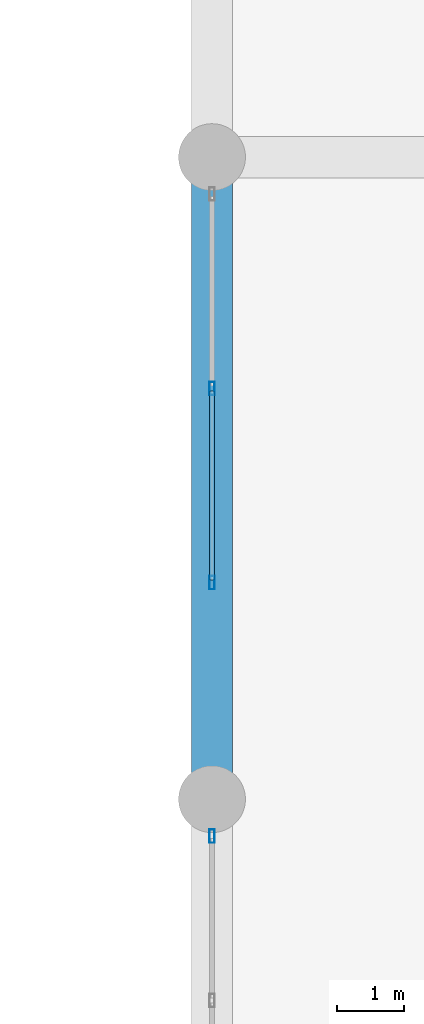
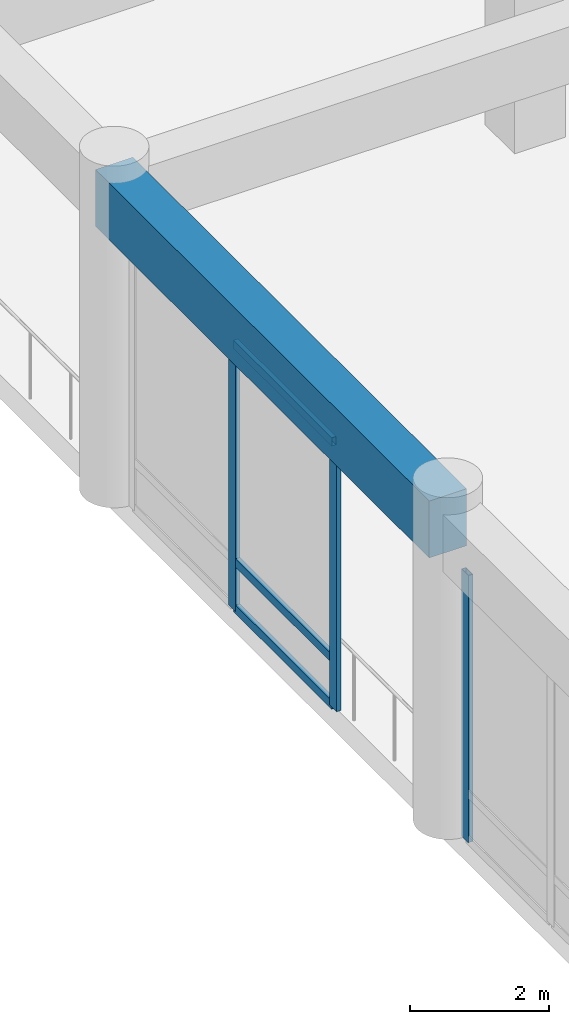
# One storey, part 32 of 87: 6 members, 1 beam, 2 elements without a shape of their own.
"""IFC4 building model written with IfcOpenShell, lengths in metres."""

import ifcopenshell
import ifcopenshell.guid

model = None  # the IFC model being written
_history = None  # IfcOwnerHistory: only IFC2X3 demands one
_inside = {}  # id of a spatial element -> (the spatial element, [elements in it])
_under = {}  # id of a project, library or spatial element -> (it, [spatial elements below it])
_declared = {}  # id of a project -> (the project, [libraries it declares])
_typed = {}  # id of a type object -> (the type object, [elements of that type])
_made_of = {}  # id of a material, layer set ... -> (it, [elements and type objects made of it])


def new_model(schema):
    """Start an empty IFC model of exactly this schema.

    Asked for "IFC4X3", IfcOpenShell would pick the latest addendum, in which some entities
    have other attributes; the version numbers below select the first issue.
    IFC2X3 requires an IfcOwnerHistory on every rooted entity: one is made here for all.
    """
    global model, _history
    if schema == "IFC4X3":
        model = ifcopenshell.file(schema_version=(4, 3, 0, 0))
    else:
        model = ifcopenshell.file(schema=schema)
    _inside.clear()
    _under.clear()
    _declared.clear()
    _typed.clear()
    _made_of.clear()
    _history = None
    if model.schema == "IFC2X3":
        org = make("IfcOrganization", Name="unknown")
        user = make(
            "IfcPersonAndOrganization",
            ThePerson=make("IfcPerson", FamilyName="unknown"),
            TheOrganization=org,
        )
        app = make(
            "IfcApplication",
            ApplicationDeveloper=org,
            Version="unknown",
            ApplicationFullName="unknown",
            ApplicationIdentifier="unknown",
        )
        _history = make(
            "IfcOwnerHistory",
            OwningUser=user,
            OwningApplication=app,
            ChangeAction="ADDED",
            CreationDate=0,
        )
    return model


def make(cls, **values):
    """One entity of the class cls with the attributes given. An attribute that is None is left unset."""
    return model.create_entity(
        cls, **{name: value for name, value in values.items() if value is not None}
    )


def rooted(cls, **values):
    """An entity with a GlobalId (a new one), such as an element, a storey or a relation."""
    return make(cls, GlobalId=ifcopenshell.guid.new(), OwnerHistory=_history, **values)


def si_unit(unit_type, name, prefix=None):
    """IfcSIUnit, for example si_unit("LENGTHUNIT", "METRE", prefix="MILLI")."""
    return make("IfcSIUnit", UnitType=unit_type, Prefix=prefix, Name=name)


def assignment(units):
    """IfcUnitAssignment: the units of a project."""
    return None if units is None else make("IfcUnitAssignment", Units=units)


def point(xyz):
    """IfcCartesianPoint."""
    return None if xyz is None else make("IfcCartesianPoint", Coordinates=xyz)


def direction(xyz):
    """IfcDirection."""
    return None if xyz is None else make("IfcDirection", DirectionRatios=xyz)


def frame(location, z_axis=None, x_axis=None):
    """IfcAxis2Placement3D, a coordinate frame: its origin and axes. An axis left out is left unset."""
    return make(
        "IfcAxis2Placement3D",
        Location=point(location),
        Axis=direction(z_axis),
        RefDirection=direction(x_axis),
    )


def frame_2d(location, x_axis=None):
    """IfcAxis2Placement2D, a coordinate frame in the plane: its origin and x axis."""
    return make(
        "IfcAxis2Placement2D", Location=point(location), RefDirection=direction(x_axis)
    )


def origin():
    """The frame at (0, 0, 0) with its axes left unset."""
    return frame((0.0, 0.0, 0.0))


def origin_2d():
    """The frame at (0, 0) in the plane with its x axis left unset."""
    return frame_2d((0.0, 0.0))


def place(relative_to, where):
    """IfcLocalPlacement: puts the frame where relative to a parent placement (None: the world)."""
    return make(
        "IfcLocalPlacement", PlacementRelTo=relative_to, RelativePlacement=where
    )


def context(
    kind, dimensions, precision=None, world=None, true_north=None, identifier=None
):
    """IfcGeometricRepresentationContext, for example the 3D "Model" context."""
    return make(
        "IfcGeometricRepresentationContext",
        ContextIdentifier=identifier,
        ContextType=kind,
        CoordinateSpaceDimension=dimensions,
        Precision=precision,
        WorldCoordinateSystem=world,
        TrueNorth=true_north,
    )


def subcontext(parent, identifier, kind, view, scale=None):
    """IfcGeometricRepresentationSubContext, for example "Body" below "Model"."""
    return make(
        "IfcGeometricRepresentationSubContext",
        ContextIdentifier=identifier,
        ContextType=kind,
        ParentContext=parent,
        TargetScale=scale,
        TargetView=view,
    )


def project(units=None, contexts=None):
    """IfcProject with its units and contexts."""
    return rooted(
        "IfcProject",
        Name="project",
        RepresentationContexts=contexts,
        UnitsInContext=assignment(units),
    )


def spatial(cls, under=None, at=None, **own):
    """A site, building, storey or space (cls), placed at a placement, below another one or the project."""
    s = rooted(cls, ObjectPlacement=at, **own)
    if under is not None:
        _under.setdefault(under.id(), (under, []))[1].append(s)
    return s


def profile(cls, at=None, kind="AREA", **sizes):
    """A parametric profile (cls). Its sizes go by their IFC names, for example OverallWidth=200.0."""
    return make(cls, ProfileType=kind, Position=at, **sizes)


def rectangle(**sizes):
    """IfcRectangleProfileDef."""
    return profile("IfcRectangleProfileDef", **sizes)


def hollow_rectangle(**sizes):
    """IfcRectangleHollowProfileDef."""
    return profile("IfcRectangleHollowProfileDef", **sizes)


def extrude(swept, where, along, depth):
    """IfcExtrudedAreaSolid: the profile swept, set in the frame where, extruded along a direction by depth."""
    return make(
        "IfcExtrudedAreaSolid",
        SweptArea=swept,
        Position=where,
        ExtrudedDirection=direction(along),
        Depth=depth,
    )


def shape(context_of_items, identifier, shape_type, items):
    """IfcShapeRepresentation: the items that make up one representation, for example the "Body"."""
    return make(
        "IfcShapeRepresentation",
        ContextOfItems=context_of_items,
        RepresentationIdentifier=identifier,
        RepresentationType=shape_type,
        Items=items,
    )


def material(Name=None, Category=None):
    """IfcMaterial."""
    return make("IfcMaterial", Name=Name, Category=Category)


def layer(
    of_material, thickness, ventilated=None, Name=None, Category=None, Priority=None
):
    """IfcMaterialLayer: one layer of a wall or slab, of a material (None: an air gap)."""
    return make(
        "IfcMaterialLayer",
        Material=of_material,
        LayerThickness=thickness,
        IsVentilated=ventilated,
        Name=Name,
        Category=Category,
        Priority=Priority,
    )


def layer_set(layers, Name=None):
    """IfcMaterialLayerSet."""
    return make("IfcMaterialLayerSet", MaterialLayers=layers, LayerSetName=Name)


def material_profile(
    of_material, cross_section, Name=None, Category=None, Priority=None
):
    """IfcMaterialProfile: a cross section and its material."""
    return make(
        "IfcMaterialProfile",
        Name=Name,
        Material=of_material,
        Profile=cross_section,
        Priority=Priority,
        Category=Category,
    )


def profile_set(profiles, Name=None, composite=None):
    """IfcMaterialProfileSet."""
    return make(
        "IfcMaterialProfileSet",
        Name=Name,
        MaterialProfiles=profiles,
        CompositeProfile=composite,
    )


def made_of(thing, what):
    """Note that an element or type object is made of a material, layer set ...; save() writes the relation."""
    if what is not None:
        _made_of.setdefault(what.id(), (what, []))[1].append(thing)
    return thing


def type_object(cls, material=None, **own):
    """A type object (cls), such as IfcWallType, which elements share."""
    return made_of(rooted(cls, **own), material)


def element(
    cls,
    number,
    at=None,
    inside=None,
    cuts=None,
    type_object=None,
    material=None,
    context=None,
    identifier="Body",
    shape_type=None,
    held_by="IfcProductDefinitionShape",
    body=None,
    shapes=None,
    **own,
):
    """One element of the class cls, such as IfcWall. Its Tag is "e" and its number.

    at: its placement. inside: the storey or other place that contains it. cuts: it is an
    opening in that element (IfcRelVoidsElement). A single representation is given by context,
    identifier, shape_type and body (its items); several are given by shapes. held_by: the class
    of the entity that holds the representations. save() writes the other relations.
    """
    e = rooted(cls, Tag="e%d" % number, ObjectPlacement=at, **own)
    if body is not None:
        shapes = [shape(context, identifier, shape_type, body)]
    if shapes is not None:
        e.Representation = make(held_by, Representations=shapes)
    if inside is not None:
        _inside.setdefault(inside.id(), (inside, []))[1].append(e)
    if cuts is not None:
        rooted(
            "IfcRelVoidsElement", RelatingBuildingElement=cuts, RelatedOpeningElement=e
        )
    if type_object is not None:
        _typed.setdefault(type_object.id(), (type_object, []))[1].append(e)
    return made_of(e, material)


def aggregate(whole, parts):
    """IfcRelAggregates: a whole, such as a stair, and the parts it consists of."""
    return rooted("IfcRelAggregates", RelatingObject=whole, RelatedObjects=parts)


def save(model, path):
    """Write the relations noted so far, then the file.

    IfcRelAggregates (storeys below a building ...), IfcRelContainedInSpatialStructure (elements
    in a storey), IfcRelDefinesByType, IfcRelAssociatesMaterial and IfcRelDeclares: one each for
    every whole, place, type object, material and project.
    """
    for whole, parts in _under.values():
        aggregate(whole, parts)
    for where, things in _inside.values():
        rooted(
            "IfcRelContainedInSpatialStructure",
            RelatedElements=things,
            RelatingStructure=where,
        )
    for kind, things in _typed.values():
        rooted("IfcRelDefinesByType", RelatedObjects=things, RelatingType=kind)
    for what, things in _made_of.values():
        rooted("IfcRelAssociatesMaterial", RelatedObjects=things, RelatingMaterial=what)
    for by, libraries in _declared.values():
        rooted("IfcRelDeclares", RelatingContext=by, RelatedDefinitions=libraries)
    model.write(path)


model = new_model("IFC4")

# Units and contexts
model_context = context("Model", 3, precision=1e-05, world=origin(), true_north=direction((0.0, 1.0)))
body_context = subcontext(model_context, "Body", "Model", "MODEL_VIEW")
ifc_project = project(units=[si_unit("LENGTHUNIT", "METRE"), si_unit("AREAUNIT", "SQUARE_METRE"), si_unit("VOLUMEUNIT", "CUBIC_METRE"), si_unit("PLANEANGLEUNIT", "RADIAN"), si_unit("MASSUNIT", "GRAM", prefix="KILO")], contexts=[model_context])

# Site, building, storey
site_placement = place(None, origin())
site = spatial("IfcSite", under=ifc_project, at=site_placement, CompositionType="ELEMENT")
building_placement = place(site_placement, origin())
building = spatial("IfcBuilding", under=site, at=building_placement, Name="Nakhvara Creek Congress Hotel", CompositionType="ELEMENT")
storey_placement = place(building_placement, origin())
storey = spatial("IfcBuildingStorey", under=building, at=storey_placement, Name="L00", CompositionType="ELEMENT", Elevation=0.0)

# Beam
ifc_material_1 = material(Name="Concrete C50/60", Category="concrete")
ifc_material_profile_1 = material_profile(ifc_material_1, rectangle(XDim=0.6201171875, YDim=1.0, at=origin_2d()), Name="RC-BM 620x1000", Category="LoadBearing")
ifc_profile_set_1 = profile_set([ifc_material_profile_1], Name="Concrete C50/60")
beam_type = type_object("IfcBeamType", Name="BM-RC-620X1000", PredefinedType="BEAM", material=ifc_profile_set_1)
beam_placement = place(storey_placement, frame((124.800048828125, 62.39990234375, 5.199951171875), z_axis=(0.0, 1.0, 0.0), x_axis=(-1.0, 0.0, 0.0)))
element("IfcBeam", 1, at=beam_placement, inside=storey, type_object=beam_type, Name="Beam B16-L00-0895", PredefinedType="BEAM", context=body_context, shape_type="SweptSolid", body=[
    extrude(rectangle(XDim=0.6201171875, YDim=1.0, at=origin_2d()), origin(), (0.0, 0.0, 1.0), 9.60009765625),
])

# Curtain wall, member
ifc_material_2 = material(Name="Bronze-anodised aluminium AW-6063-T6 and double-silver low-E glass", Category="aluminium")
ifc_layer = layer(ifc_material_2, 0.199951171875)
ifc_layer_set = layer_set([ifc_layer], Name="Bronze-anodised aluminium AW-6063-T6 and double-silver low-E glass")
curtain_wall_type = type_object("IfcCurtainWallType", Name="CW-POD-STICK", PredefinedType="NOTDEFINED", material=ifc_layer_set)
curtain_wall_1_placement = place(storey_placement, origin())
curtain_wall_1 = element("IfcCurtainWall", 2, at=curtain_wall_1_placement, inside=storey, type_object=curtain_wall_type, Name="Curtain Wall CW014", PredefinedType="NOTDEFINED")
ifc_material_3 = material(Name="Bronze-anodised aluminium AW-6063-T6", Category="aluminium")
ifc_material_profile_2 = material_profile(ifc_material_3, hollow_rectangle(XDim=0.074951171875, YDim=0.199951171875, WallThickness=0.0048828125, at=origin_2d()), Name="ALU-MULL 75x200x5", Category="LoadBearing")
ifc_profile_set_2 = profile_set([ifc_material_profile_2], Name="Bronze-anodised aluminium AW-6063-T6")
member_type_1 = type_object("IfcMemberType", Name="CW-MULL-200", PredefinedType="MULLION", material=ifc_profile_set_2)
member_1_placement = place(storey_placement, frame((124.800048828125, 61.847412109375, 0.0), z_axis=(0.0, 0.0, 1.0), x_axis=(-1.0, 0.0, 0.0)))
member_1 = element("IfcMember", 3, at=member_1_placement, type_object=member_type_1, Name="CW014 mullion 4", PredefinedType="MULLION", context=body_context, shape_type="SweptSolid", body=[
    extrude(hollow_rectangle(XDim=0.074951171875, YDim=0.199951171875, WallThickness=0.0048828125, at=origin_2d()), origin(), (0.0, 0.0, 1.0), 4.69189453125),
])
aggregate(curtain_wall_1, [member_1])

# Curtain wall, members
curtain_wall_2_placement = place(storey_placement, origin())
curtain_wall_2 = element("IfcCurtainWall", 4, at=curtain_wall_2_placement, inside=storey, type_object=curtain_wall_type, Name="Curtain Wall CW016", PredefinedType="NOTDEFINED")
member_2_placement = place(storey_placement, frame((124.800048828125, 65.637451171875, 0.0), z_axis=(0.0, 0.0, 1.0), x_axis=(-1.0, 0.0, 0.0)))
member_2 = element("IfcMember", 5, at=member_2_placement, type_object=member_type_1, Name="CW016 mullion 1", PredefinedType="MULLION", context=body_context, shape_type="SweptSolid", body=[
    extrude(hollow_rectangle(XDim=0.074951171875, YDim=0.199951171875, WallThickness=0.0048828125, at=origin_2d()), origin(), (0.0, 0.0, 1.0), 4.69189453125),
])
member_3_placement = place(storey_placement, frame((124.800048828125, 68.54248046875, 0.0), z_axis=(0.0, 0.0, 1.0), x_axis=(-1.0, 0.0, 0.0)))
member_3 = element("IfcMember", 6, at=member_3_placement, type_object=member_type_1, Name="CW016 mullion 2", PredefinedType="MULLION", context=body_context, shape_type="SweptSolid", body=[
    extrude(hollow_rectangle(XDim=0.074951171875, YDim=0.199951171875, WallThickness=0.0048828125, at=origin_2d()), origin(), (0.0, 0.0, 1.0), 4.69189453125),
])
ifc_material_profile_3 = material_profile(ifc_material_3, hollow_rectangle(XDim=0.074951171875, YDim=0.14990234375, WallThickness=0.00390625, at=origin_2d()), Name="ALU-TRAN 75x150x4", Category="LoadBearing")
ifc_profile_set_3 = profile_set([ifc_material_profile_3], Name="Bronze-anodised aluminium AW-6063-T6")
member_type_2 = type_object("IfcMemberType", Name="CW-TRAN-150", PredefinedType="USERDEFINED", material=ifc_profile_set_3)
member_4_placement = place(storey_placement, frame((124.800048828125, 65.675048828125, 0.03759765625), z_axis=(0.0, 1.0, 0.0), x_axis=(-1.0, 0.0, 0.0)))
member_4 = element("IfcMember", 7, at=member_4_placement, type_object=member_type_2, Name="CW016 transom 1.1", ObjectType="TRANSOM", PredefinedType="USERDEFINED", context=body_context, shape_type="SweptSolid", body=[
    extrude(hollow_rectangle(XDim=0.074951171875, YDim=0.14990234375, WallThickness=0.00390625, at=origin_2d()), origin(), (0.0, 0.0, 1.0), 2.829833984375),
])
member_5_placement = place(storey_placement, frame((124.800048828125, 65.675048828125, 0.85009765625), z_axis=(0.0, 1.0, 0.0), x_axis=(-1.0, 0.0, 0.0)))
member_5 = element("IfcMember", 8, at=member_5_placement, type_object=member_type_2, Name="CW016 transom 1.2", ObjectType="TRANSOM", PredefinedType="USERDEFINED", context=body_context, shape_type="SweptSolid", body=[
    extrude(hollow_rectangle(XDim=0.074951171875, YDim=0.14990234375, WallThickness=0.00390625, at=origin_2d()), origin(), (0.0, 0.0, 1.0), 2.829833984375),
])
member_6_placement = place(storey_placement, frame((124.800048828125, 65.675048828125, 4.654541015625), z_axis=(0.0, 1.0, 0.0), x_axis=(-1.0, 0.0, 0.0)))
member_6 = element("IfcMember", 9, at=member_6_placement, type_object=member_type_2, Name="CW016 transom 1.3", ObjectType="TRANSOM", PredefinedType="USERDEFINED", context=body_context, shape_type="SweptSolid", body=[
    extrude(hollow_rectangle(XDim=0.074951171875, YDim=0.14990234375, WallThickness=0.00390625, at=origin_2d()), origin(), (0.0, 0.0, 1.0), 2.829833984375),
])
aggregate(curtain_wall_2, [member_2, member_3, member_4, member_5, member_6])

save(model, "model.ifc")
